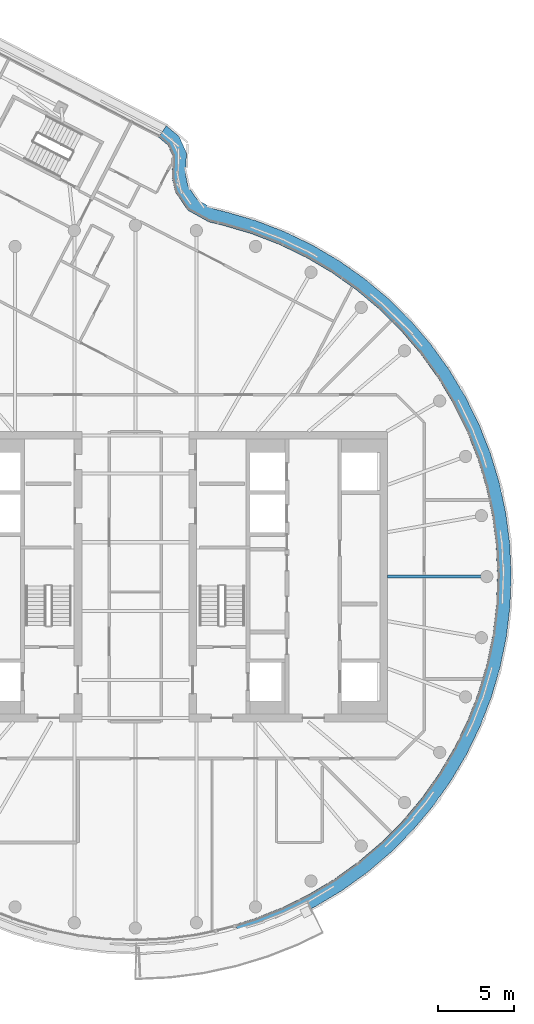
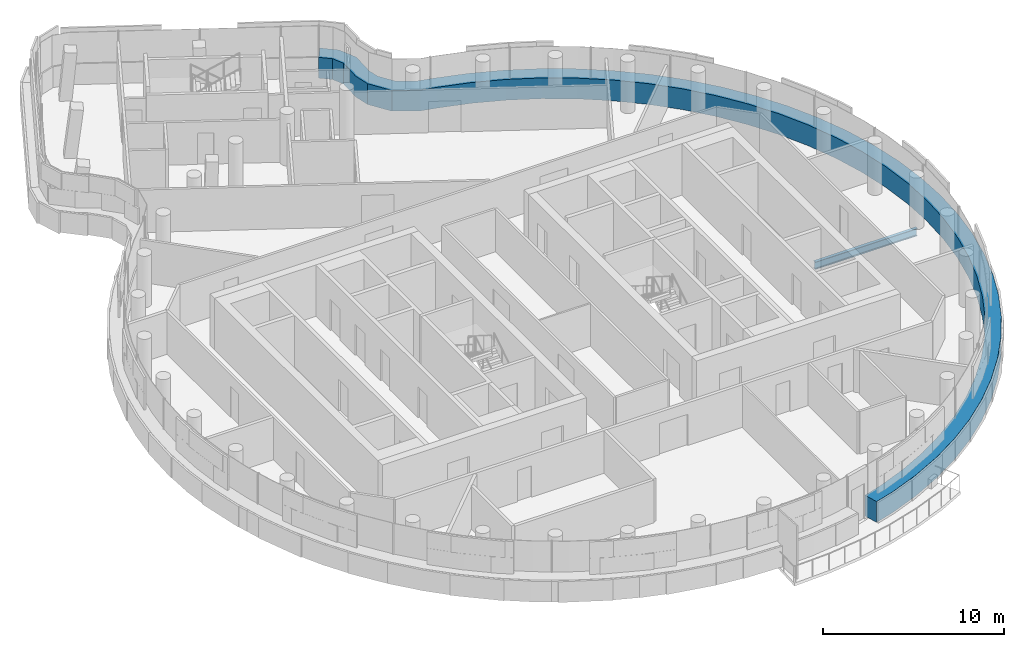
# One storey, part 7 of 21: 1 beam, 1 member, 1 element without a shape of its own.
"""IFC4 building model written with IfcOpenShell, lengths in metres."""

from ifc_helpers import new_model, si_unit, direction, frame, origin, origin_2d, place, context, subcontext, project, spatial, polyline, i_section, outline, extrude, material, layer, layer_set, material_profile, profile_set, type_object, element, aggregate, save


model = new_model("IFC4")

# Units and contexts
model_context = context("Model", 3, precision=1e-05, world=origin(), true_north=direction((0.0, 1.0)))
body_context = subcontext(model_context, "Body", "Model", "MODEL_VIEW")
ifc_project = project(units=[si_unit("LENGTHUNIT", "METRE"), si_unit("AREAUNIT", "SQUARE_METRE"), si_unit("VOLUMEUNIT", "CUBIC_METRE"), si_unit("PLANEANGLEUNIT", "RADIAN"), si_unit("MASSUNIT", "GRAM", prefix="KILO")], contexts=[model_context])

# Site, building, storey
site_placement = place(None, origin())
site = spatial("IfcSite", under=ifc_project, at=site_placement, CompositionType="ELEMENT")
building_placement = place(site_placement, origin())
building = spatial("IfcBuilding", under=site, at=building_placement, Name="Tamarind Cross Interchange Tower", CompositionType="ELEMENT")
storey_placement = place(building_placement, frame((0.0, 0.0, 260.39990234375)))
storey = spatial("IfcBuildingStorey", under=building, at=storey_placement, Name="L66", CompositionType="ELEMENT", Elevation=260.39990234375)

# Beam
ifc_material_1 = material(Name="Steel Q355B", Category="steel")
ifc_material_profile = material_profile(ifc_material_1, i_section(OverallWidth=0.198974609375, OverallDepth=0.49609375, WebThickness=0.009033203125, FlangeThickness=0.013916015625, FilletRadius=0.012939453125, at=origin_2d()), Name="HN 496x199x9x14")
ifc_profile_set = profile_set([ifc_material_profile], Name="Steel Q355B")
beam_type = type_object("IfcBeamType", Name="Composite beam HN 496x199x9x14 Q355B", PredefinedType="BEAM", material=ifc_profile_set)
beam_placement = place(storey_placement, frame((23.0, 0.0, -0.387939453125), z_axis=(-1.0, 0.0, 0.0), x_axis=(0.0, -1.0, 0.0)))
element("IfcBeam", 1, at=beam_placement, inside=storey, type_object=beam_type, Name="Beam HH00", PredefinedType="BEAM", context=body_context, shape_type="SweptSolid", body=[
    extrude(i_section(OverallWidth=0.198974609375, OverallDepth=0.49609375, WebThickness=0.009033203125, FlangeThickness=0.013916015625, FilletRadius=0.012939453125, at=origin_2d()), origin(), (0.0, 0.0, 1.0), 6.5),
])

# Curtain wall, member
ifc_material_2 = material(Name="Aluminium 6063-T6", Category="aluminium")
ifc_layer = layer(ifc_material_2, 0.139892578125)
ifc_layer_set = layer_set([ifc_layer], Name="Aluminium 6063-T6")
curtain_wall_type = type_object("IfcCurtainWallType", Name="Hotel curtain wall, 4.5 m bays", PredefinedType="NOTDEFINED", material=ifc_layer_set)
curtain_wall_placement = place(storey_placement, origin())
curtain_wall = element("IfcCurtainWall", 2, at=curtain_wall_placement, inside=storey, type_object=curtain_wall_type, Name="CWS-L66-01", PredefinedType="NOTDEFINED")
ifc_material_3 = material(Name="Aluminium and insulated spandrel panel", Category="aluminium")
member_type = type_object("IfcMemberType", Name="Floor-edge blade transom", PredefinedType="USERDEFINED", material=ifc_material_3)
member_placement = place(storey_placement, origin())
member = element("IfcMember", 3, at=member_placement, type_object=member_type, Name="CWT-L66-01-1", ObjectType="TRANSOM", PredefinedType="USERDEFINED", context=body_context, shape_type="SweptSolid", body=[
    extrude(outline(polyline([(6.56884765625, -22.747802734375), (7.790283203125, -22.37841796875), (9.61181640625, -21.65869140625), (11.367431640625, -20.791015625), (13.045654296875, -19.78125), (14.634521484375, -18.636474609375), (16.12353515625, -17.3642578125), (17.50244140625, -15.973388671875), (18.76171875, -14.4736328125), (19.892822265625, -12.874755859375), (20.88818359375, -11.188232421875), (21.74072265625, -9.425048828125), (22.444580078125, -7.597412109375), (22.995361328125, -5.718017578125), (23.38916015625, -3.799560546875), (23.623046875, -1.855224609375), (23.695556640625, 0.10205078125), (23.606201171875, 2.058349609375), (23.35546875, 4.000732421875), (22.9453125, 5.915771484375), (22.37841796875, 7.790283203125), (21.65869140625, 9.61181640625), (20.791015625, 11.367431640625), (19.78125, 13.045654296875), (18.636474609375, 14.634521484375), (17.3642578125, 16.12353515625), (15.973388671875, 17.50244140625), (14.4736328125, 18.76171875), (12.874755859375, 19.892822265625), (11.188232421875, 20.88818359375), (9.425048828125, 21.74072265625), (7.597412109375, 22.444580078125), (5.713134765625, 22.996826171875), (4.81005859375, 23.214111328125), (3.432373046875, 23.979248046875), (2.600830078125, 25.200927734375), (2.387939453125, 26.182861328125), (2.417236328125, 26.748779296875), (2.436279296875, 27.5625), (2.127685546875, 28.24609375), (1.52783203125, 28.751708984375), (2.030517578125, 29.505126953125), (2.864013671875, 28.802734375), (3.340576171875, 27.74609375), (3.31689453125, 26.715087890625), (3.29296875, 26.256103515625), (3.443359375, 25.562744140625), (4.05615234375, 24.662353515625), (5.139892578125, 24.060302734375), (5.945068359375, 23.86669921875), (7.88623046875, 23.2978515625), (9.783203125, 22.567138671875), (11.613525390625, 21.68212890625), (13.3642578125, 20.64892578125), (15.023681640625, 19.474853515625), (16.580810546875, 18.167724609375), (18.0244140625, 16.736572265625), (19.344970703125, 15.19091796875), (20.533203125, 13.54150390625), (21.581298828125, 11.799560546875), (22.482177734375, 9.97705078125), (23.229248046875, 8.08642578125), (23.817626953125, 6.140625), (24.243408203125, 4.15283203125), (24.50341796875, 2.13671875), (24.59619140625, 0.10595703125), (24.52099609375, -1.925537109375), (24.2783203125, -3.944091796875), (23.86962890625, -5.935302734375), (23.2978515625, -7.88623046875), (22.567138671875, -9.783203125), (21.68212890625, -11.613525390625), (20.64892578125, -13.3642578125), (19.474853515625, -15.023681640625), (18.167724609375, -16.580810546875), (16.736572265625, -18.0244140625), (15.19091796875, -19.344970703125), (13.54150390625, -20.533203125), (11.799560546875, -21.581298828125), (9.97705078125, -22.482177734375), (8.08642578125, -23.229248046875), (6.818359375, -23.612548828125), (6.56884765625, -22.747802734375)])), origin(), (0.0, 0.0, 1.0), 1.400146484375),
])
aggregate(curtain_wall, [member])

save(model, "model.ifc")
